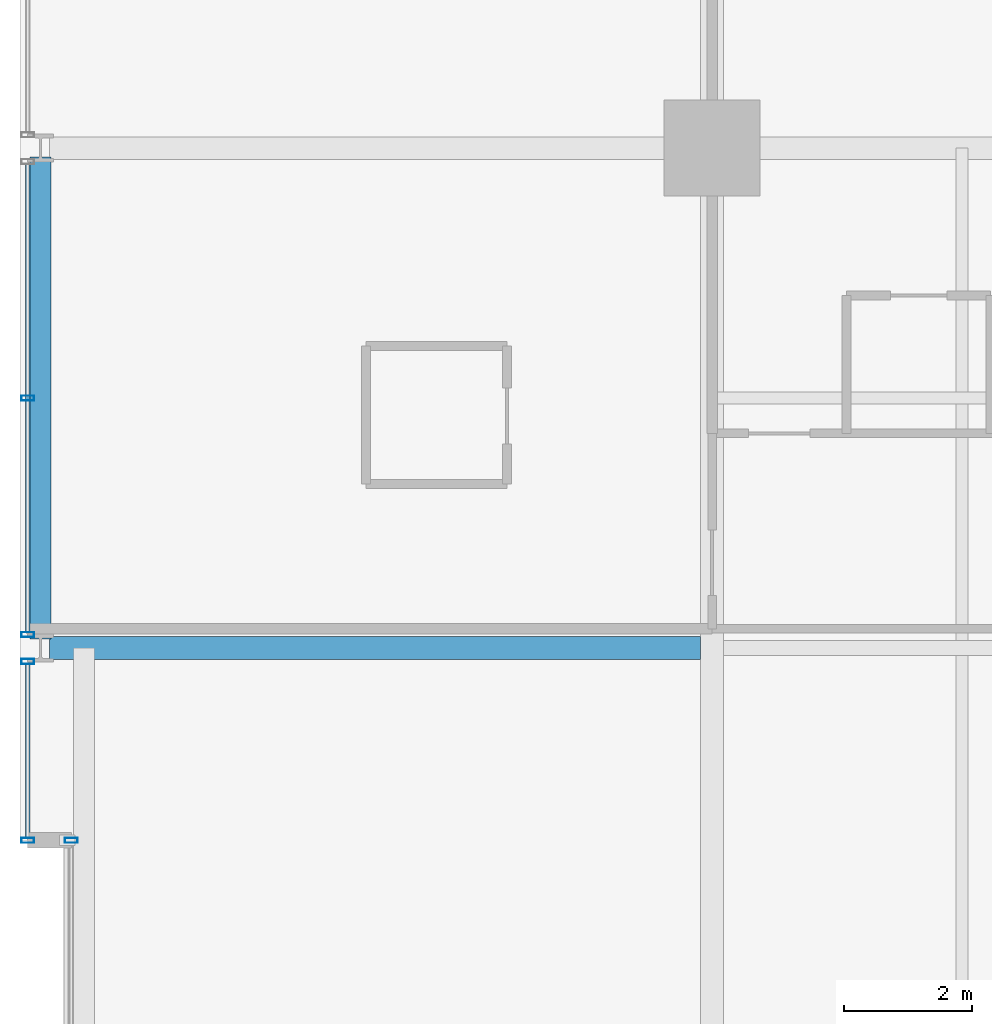
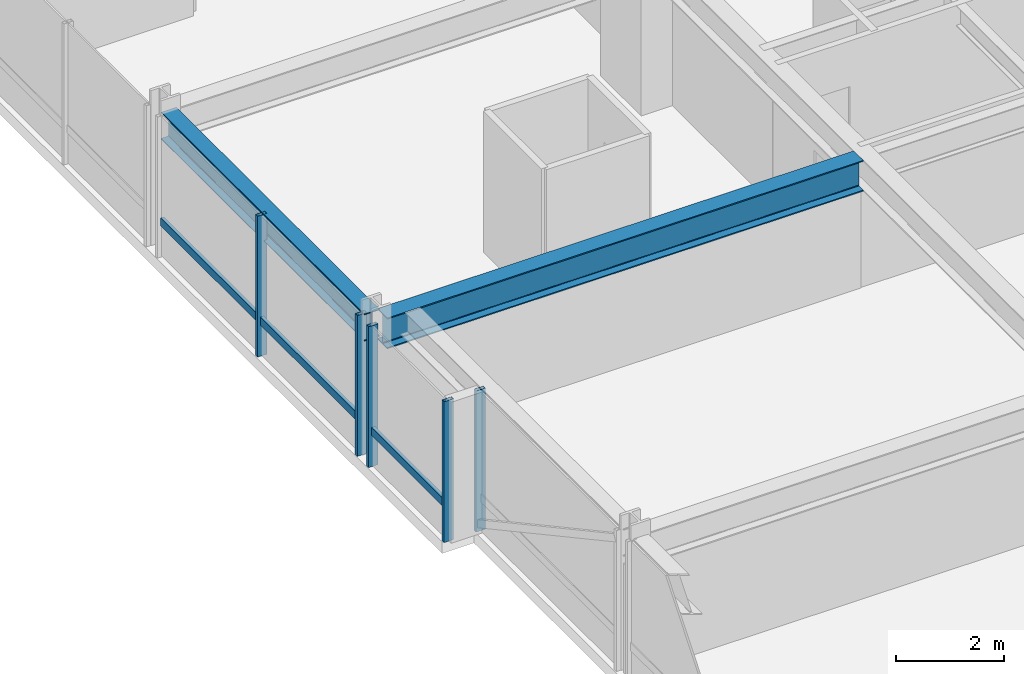
# One storey, part 16 of 35: 7 members, 2 beams, 3 elements without a shape of their own.
"""IFC4 building model written with IfcOpenShell, lengths in metres."""

from ifc_helpers import new_model, si_unit, direction, frame, origin, origin_2d, place, context, subcontext, project, spatial, hollow_rectangle, i_section, extrude, material, layer, layer_set, material_profile, profile_set, type_object, element, aggregate, save


model = new_model("IFC4")

# Units and contexts
model_context = context("Model", 3, precision=1e-05, world=origin(), true_north=direction((0.0, 1.0)))
body_context = subcontext(model_context, "Body", "Model", "MODEL_VIEW")
ifc_project = project(units=[si_unit("LENGTHUNIT", "METRE"), si_unit("AREAUNIT", "SQUARE_METRE"), si_unit("VOLUMEUNIT", "CUBIC_METRE"), si_unit("PLANEANGLEUNIT", "RADIAN"), si_unit("MASSUNIT", "GRAM", prefix="KILO")], contexts=[model_context])

# Site, building, storey
site_placement = place(None, origin())
site = spatial("IfcSite", under=ifc_project, at=site_placement, CompositionType="ELEMENT")
building_placement = place(site_placement, origin())
building = spatial("IfcBuilding", under=site, at=building_placement, Name="Drelvath Grand Hotel", CompositionType="ELEMENT")
storey_placement = place(building_placement, frame((0.0, 0.0, 137.300048828125)))
storey = spatial("IfcBuildingStorey", under=building, at=storey_placement, Name="L35", CompositionType="ELEMENT", Elevation=137.300048828125)

# Curtain wall, member
ifc_material_1 = material(Name="Champagne Bronze Anodised Aluminium Frame", Category="aluminium")
ifc_layer = layer(ifc_material_1, 0.199951171875)
ifc_layer_set = layer_set([ifc_layer], Name="Champagne Bronze Anodised Aluminium Frame")
curtain_wall_type = type_object("IfcCurtainWallType", Name="Stick Curtain Wall CW-03 Champagne Bronze Mid-Rise", PredefinedType="NOTDEFINED", material=ifc_layer_set)
curtain_wall_1_placement = place(storey_placement, origin())
curtain_wall_1 = element("IfcCurtainWall", 1, at=curtain_wall_1_placement, inside=storey, type_object=curtain_wall_type, Name="L35 CW-03 Curtain Wall CW03-L35-WN1", PredefinedType="NOTDEFINED")
ifc_material_profile_1 = material_profile(ifc_material_1, hollow_rectangle(XDim=0.074951171875, YDim=0.179931640625, WallThickness=0.0048828125, at=origin_2d()), Name="HSS180X75X5")
ifc_profile_set_1 = profile_set([ifc_material_profile_1], Name="Champagne Bronze Anodised Aluminium Frame")
member_type_1 = type_object("IfcMemberType", Name="Curtain Wall Horizontal Transom CW-03 HSS180X75X5", PredefinedType="USERDEFINED", material=ifc_profile_set_1)
member_1_placement = place(storey_placement, frame((-26.8798828125, 32.43994140625, 0.794921875), z_axis=(0.0, 1.0, 0.0), x_axis=(-1.0, 0.0, 0.0)))
member_1 = element("IfcMember", 2, at=member_1_placement, type_object=member_type_1, Name="CW03-L35-WN1 Sill Transom", ObjectType="TRANSOM", PredefinedType="USERDEFINED", context=body_context, shape_type="SweptSolid", body=[
    extrude(hollow_rectangle(XDim=0.074951171875, YDim=0.179931640625, WallThickness=0.0048828125, at=origin_2d()), origin(), (0.0, 0.0, 1.0), 2.710693359375),
])

curtain_wall_2_placement = place(storey_placement, origin())
curtain_wall_2 = element("IfcCurtainWall", 3, at=curtain_wall_2_placement, inside=storey, type_object=curtain_wall_type, Name="L35 CW-03 Curtain Wall CW03-L35-WN2", PredefinedType="NOTDEFINED")
member_2_placement = place(storey_placement, frame((-26.8798828125, 35.6494140625, 0.794921875), z_axis=(0.0, 1.0, 0.0), x_axis=(-1.0, 0.0, 0.0)))
member_2 = element("IfcMember", 4, at=member_2_placement, type_object=member_type_1, Name="CW03-L35-WN2 Sill Transom", ObjectType="TRANSOM", PredefinedType="USERDEFINED", context=body_context, shape_type="SweptSolid", body=[
    extrude(hollow_rectangle(XDim=0.074951171875, YDim=0.179931640625, WallThickness=0.0048828125, at=origin_2d()), origin(), (0.0, 0.0, 1.0), 7.30126953125),
])

curtain_wall_3_placement = place(storey_placement, origin())
curtain_wall_3 = element("IfcCurtainWall", 5, at=curtain_wall_3_placement, inside=storey, type_object=curtain_wall_type, Name="L35 CW-03 Curtain Wall CW03-L35-WM2", PredefinedType="NOTDEFINED")
ifc_material_profile_2 = material_profile(ifc_material_1, hollow_rectangle(XDim=0.080078125, YDim=0.199951171875, WallThickness=0.0048828125, at=origin_2d()), Name="HSS200X80X5")
ifc_profile_set_2 = profile_set([ifc_material_profile_2], Name="Champagne Bronze Anodised Aluminium Frame")
member_type_2 = type_object("IfcMemberType", Name="Curtain Wall Vertical Mullion CW-03 HSS200X80X5", PredefinedType="MULLION", material=ifc_profile_set_2)
member_3_placement = place(storey_placement, frame((-26.199951171875, 32.39990234375, 0.0), z_axis=(0.0, 0.0, 1.0), x_axis=(0.0, 1.0, 0.0)))
member_3 = element("IfcMember", 6, at=member_3_placement, type_object=member_type_2, Name="CW03-L35-WM2 Mullion 2", PredefinedType="MULLION", context=body_context, shape_type="SweptSolid", body=[
    extrude(hollow_rectangle(XDim=0.080078125, YDim=0.199951171875, WallThickness=0.0048828125, at=origin_2d()), origin(), (0.0, 0.0, 1.0), 3.179931640625),
])
aggregate(curtain_wall_3, [member_3])

# Member
member_4_placement = place(storey_placement, frame((-26.8798828125, 32.39990234375, 0.0), z_axis=(0.0, 0.0, 1.0), x_axis=(0.0, 1.0, 0.0)))
member_4 = element("IfcMember", 7, at=member_4_placement, type_object=member_type_2, Name="CW03-L35-WN1 Mullion 1", PredefinedType="MULLION", context=body_context, shape_type="SweptSolid", body=[
    extrude(hollow_rectangle(XDim=0.080078125, YDim=0.199951171875, WallThickness=0.0048828125, at=origin_2d()), origin(), (0.0, 0.0, 1.0), 3.179931640625),
])

member_5_placement = place(storey_placement, frame((-26.8798828125, 35.190673828125, 0.0), z_axis=(0.0, 0.0, 1.0), x_axis=(0.0, 1.0, 0.0)))
member_5 = element("IfcMember", 8, at=member_5_placement, type_object=member_type_2, Name="CW03-L35-WN1 Mullion 2", PredefinedType="MULLION", context=body_context, shape_type="SweptSolid", body=[
    extrude(hollow_rectangle(XDim=0.080078125, YDim=0.199951171875, WallThickness=0.0048828125, at=origin_2d()), origin(), (0.0, 0.0, 1.0), 3.179931640625),
])

aggregate(curtain_wall_1, [member_4, member_5, member_1])

member_6_placement = place(storey_placement, frame((-26.8798828125, 35.609375, 0.0), z_axis=(0.0, 0.0, 1.0), x_axis=(0.0, 1.0, 0.0)))
member_6 = element("IfcMember", 9, at=member_6_placement, type_object=member_type_2, Name="CW03-L35-WN2 Mullion 1", PredefinedType="MULLION", context=body_context, shape_type="SweptSolid", body=[
    extrude(hollow_rectangle(XDim=0.080078125, YDim=0.199951171875, WallThickness=0.0048828125, at=origin_2d()), origin(), (0.0, 0.0, 1.0), 3.179931640625),
])

member_7_placement = place(storey_placement, frame((-26.8798828125, 39.300048828125, 0.0), z_axis=(0.0, 0.0, 1.0), x_axis=(0.0, 1.0, 0.0)))
member_7 = element("IfcMember", 10, at=member_7_placement, type_object=member_type_2, Name="CW03-L35-WN2 Mullion 2", PredefinedType="MULLION", context=body_context, shape_type="SweptSolid", body=[
    extrude(hollow_rectangle(XDim=0.080078125, YDim=0.199951171875, WallThickness=0.0048828125, at=origin_2d()), origin(), (0.0, 0.0, 1.0), 3.179931640625),
])

aggregate(curtain_wall_2, [member_6, member_7, member_2])

# Beams
ifc_material_2 = material(Name="Steel ASTM A992 Gr 50", Category="steel")
ifc_material_profile_3 = material_profile(ifc_material_2, i_section(OverallWidth=0.323974609375, OverallDepth=0.611083984375, WebThickness=0.0126953125, FlangeThickness=0.01904296875, FilletRadius=0.02197265625, at=origin_2d()), Name="W24X104")
ifc_profile_set_3 = profile_set([ifc_material_profile_3], Name="Steel ASTM A992 Gr 50")
beam_type_1 = type_object("IfcBeamType", Name="Perimeter Spandrel Beam W24X104", PredefinedType="SPANDREL", material=ifc_profile_set_3)
beam_1_placement = place(storey_placement, frame((-26.679931640625, 35.5400390625, 2.874267578125), z_axis=(0.0, 1.0, 0.0), x_axis=(-1.0, 0.0, 0.0)))
element("IfcBeam", 11, at=beam_1_placement, inside=storey, type_object=beam_type_1, Name="L35 Spandrel West N", PredefinedType="SPANDREL", context=body_context, shape_type="SweptSolid", body=[
    extrude(i_section(OverallWidth=0.323974609375, OverallDepth=0.611083984375, WebThickness=0.0126953125, FlangeThickness=0.01904296875, FilletRadius=0.02197265625, at=origin_2d()), origin(), (0.0, 0.0, 1.0), 7.52001953125),
])
ifc_material_profile_4 = material_profile(ifc_material_2, i_section(OverallWidth=0.354736328125, OverallDepth=0.695556640625, WebThickness=0.015380859375, FlangeThickness=0.025146484375, FilletRadius=0.02392578125, at=origin_2d()), Name="W27X146")
ifc_profile_set_4 = profile_set([ifc_material_profile_4], Name="Steel ASTM A992 Gr 50")
beam_type_2 = type_object("IfcBeamType", Name="Primary Floor Girder W27X146", PredefinedType="BEAM", material=ifc_profile_set_4)
beam_2_placement = place(storey_placement, frame((-26.5400390625, 35.39990234375, 2.83203125), z_axis=(1.0, 0.0, 0.0), x_axis=(0.0, 1.0, 0.0)))
element("IfcBeam", 12, at=beam_2_placement, inside=storey, type_object=beam_type_2, Name="L35 West Wing Girder F", PredefinedType="BEAM", context=body_context, shape_type="SweptSolid", body=[
    extrude(i_section(OverallWidth=0.354736328125, OverallDepth=0.695556640625, WebThickness=0.015380859375, FlangeThickness=0.025146484375, FilletRadius=0.02392578125, at=origin_2d()), origin(), (0.0, 0.0, 1.0), 10.16259765625),
])

save(model, "model.ifc")
